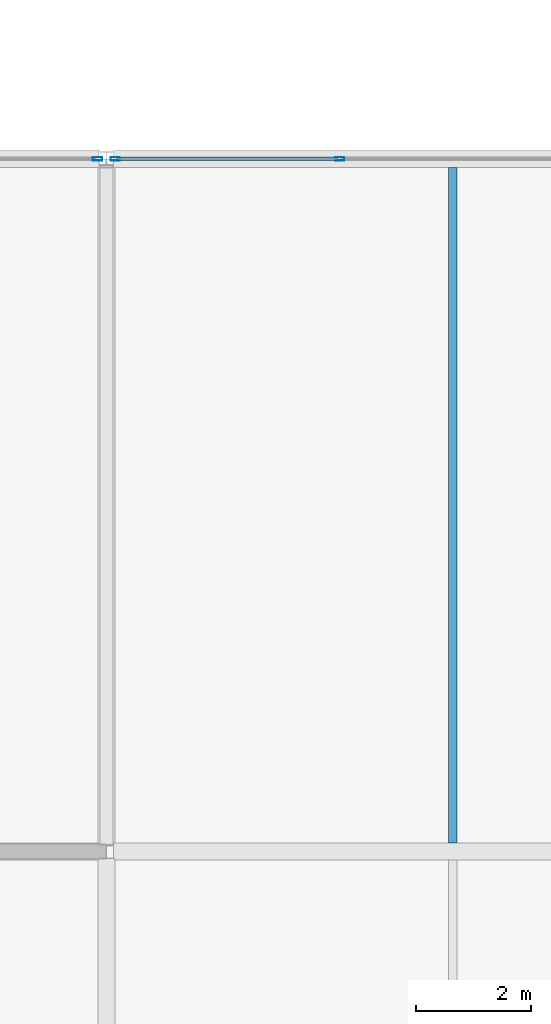
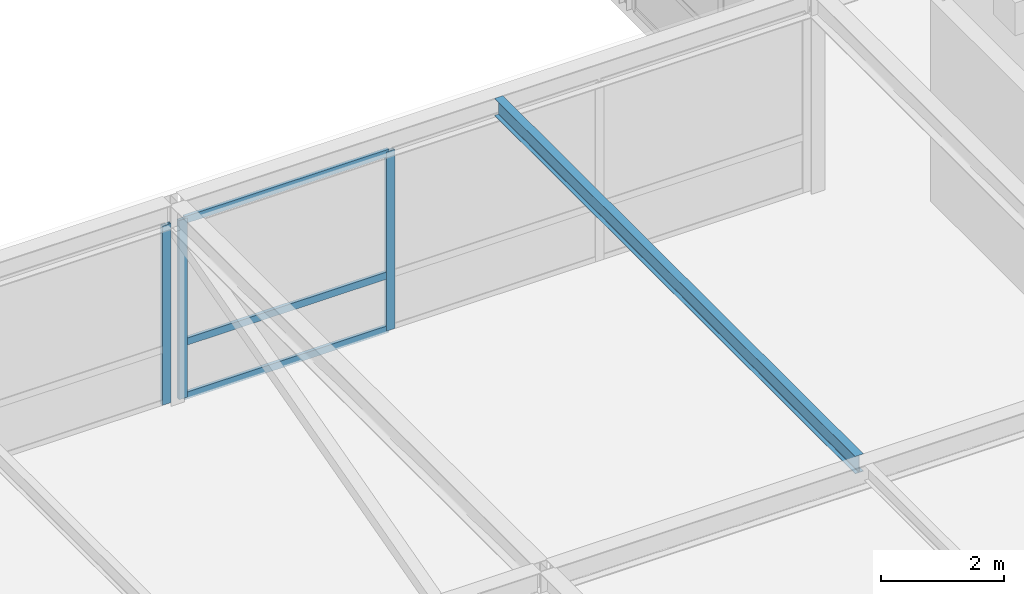
# One storey, part 37 of 111: 6 members, 1 beam, 2 elements without a shape of their own.
"""IFC4 building model written with IfcOpenShell, lengths in metres."""

from ifc_helpers import new_model, si_unit, direction, frame, origin, origin_2d, place, context, subcontext, project, spatial, hollow_rectangle, i_section, extrude, material, layer, layer_set, material_profile, profile_set, type_object, element, aggregate, save


model = new_model("IFC4")

# Units and contexts
model_context = context("Model", 3, precision=1e-05, world=origin(), true_north=direction((0.0, 1.0)))
body_context = subcontext(model_context, "Body", "Model", "MODEL_VIEW")
ifc_project = project(units=[si_unit("LENGTHUNIT", "METRE"), si_unit("AREAUNIT", "SQUARE_METRE"), si_unit("VOLUMEUNIT", "CUBIC_METRE"), si_unit("PLANEANGLEUNIT", "RADIAN"), si_unit("MASSUNIT", "GRAM", prefix="KILO")], contexts=[model_context])

# Site, building, storey
site_placement = place(None, origin())
site = spatial("IfcSite", under=ifc_project, at=site_placement, CompositionType="ELEMENT")
building_placement = place(site_placement, origin())
building = spatial("IfcBuilding", under=site, at=building_placement, Name="Zlatovratsky Civic Hall", CompositionType="ELEMENT")
storey_placement = place(building_placement, frame((0.0, 0.0, 16.5)))
storey = spatial("IfcBuildingStorey", under=building, at=storey_placement, Name="L04", CompositionType="ELEMENT", Elevation=16.5)

# Curtain wall, member
ifc_material_1 = material(Name="Anodised bronze aluminium", Category="aluminium")
ifc_layer = layer(ifc_material_1, 0.159912109375)
ifc_layer_set = layer_set([ifc_layer], Name="Anodised bronze aluminium")
curtain_wall_type = type_object("IfcCurtainWallType", Name="CurtainWall_Bronze_11750x3550_17", PredefinedType="NOTDEFINED", material=ifc_layer_set)
curtain_wall_1_placement = place(storey_placement, origin())
curtain_wall_1 = element("IfcCurtainWall", 1, at=curtain_wall_1_placement, inside=storey, type_object=curtain_wall_type, Name="CW-094", PredefinedType="NOTDEFINED")
ifc_material_profile_1 = material_profile(ifc_material_1, hollow_rectangle(XDim=0.06005859375, YDim=0.159912109375, WallThickness=0.00390625, at=origin_2d()), Name="ALU 60x160x4")
ifc_profile_set_1 = profile_set([ifc_material_profile_1], Name="Anodised bronze aluminium")
member_type_1 = type_object("IfcMemberType", Name="CW_Mullion_60x160", PredefinedType="MULLION", material=ifc_profile_set_1)
member_1_placement = place(storey_placement, frame((35.844970703125, 30.0, 0.0), z_axis=(0.0, 0.0, 1.0), x_axis=(0.0, 1.0, 0.0)))
member_1 = element("IfcMember", 2, at=member_1_placement, type_object=member_type_1, Name="CW-17 mullion 4", PredefinedType="MULLION", context=body_context, shape_type="SweptSolid", body=[
    extrude(hollow_rectangle(XDim=0.06005859375, YDim=0.159912109375, WallThickness=0.00390625, at=origin_2d()), origin(), (0.0, 0.0, 1.0), 3.550048828125),
])
aggregate(curtain_wall_1, [member_1])

# Curtain wall, members
curtain_wall_2_placement = place(storey_placement, origin())
curtain_wall_2 = element("IfcCurtainWall", 3, at=curtain_wall_2_placement, inside=storey, type_object=curtain_wall_type, Name="CW-095", PredefinedType="NOTDEFINED")
member_2_placement = place(storey_placement, frame((36.155029296875, 30.0, 0.0), z_axis=(0.0, 0.0, 1.0), x_axis=(0.0, 1.0, 0.0)))
member_2 = element("IfcMember", 4, at=member_2_placement, type_object=member_type_1, Name="CW-17 mullion 1", PredefinedType="MULLION", context=body_context, shape_type="SweptSolid", body=[
    extrude(hollow_rectangle(XDim=0.06005859375, YDim=0.159912109375, WallThickness=0.00390625, at=origin_2d()), origin(), (0.0, 0.0, 1.0), 3.550048828125),
])
member_3_placement = place(storey_placement, frame((40.041748046875, 30.0, 0.0), z_axis=(0.0, 0.0, 1.0), x_axis=(0.0, 1.0, 0.0)))
member_3 = element("IfcMember", 5, at=member_3_placement, type_object=member_type_1, Name="CW-17 mullion 2", PredefinedType="MULLION", context=body_context, shape_type="SweptSolid", body=[
    extrude(hollow_rectangle(XDim=0.06005859375, YDim=0.159912109375, WallThickness=0.00390625, at=origin_2d()), origin(), (0.0, 0.0, 1.0), 3.550048828125),
])
ifc_material_profile_2 = material_profile(ifc_material_1, hollow_rectangle(XDim=0.06005859375, YDim=0.139892578125, WallThickness=0.00390625, at=origin_2d()), Name="ALU 60x140x4")
ifc_profile_set_2 = profile_set([ifc_material_profile_2], Name="Anodised bronze aluminium")
member_type_2 = type_object("IfcMemberType", Name="CW_Transom_60x140", PredefinedType="USERDEFINED", material=ifc_profile_set_2)
member_4_placement = place(storey_placement, frame((36.18505859375, 30.0, 0.030029296875), z_axis=(1.0, 0.0, 0.0), x_axis=(0.0, 1.0, 0.0)))
member_4 = element("IfcMember", 6, at=member_4_placement, type_object=member_type_2, Name="CW-17 transom 1.1", ObjectType="TRANSOM", PredefinedType="USERDEFINED", context=body_context, shape_type="SweptSolid", body=[
    extrude(hollow_rectangle(XDim=0.06005859375, YDim=0.139892578125, WallThickness=0.00390625, at=origin_2d()), origin(), (0.0, 0.0, 1.0), 3.82666015625),
])
member_5_placement = place(storey_placement, frame((36.18505859375, 30.0, 1.10009765625), z_axis=(1.0, 0.0, 0.0), x_axis=(0.0, 1.0, 0.0)))
member_5 = element("IfcMember", 7, at=member_5_placement, type_object=member_type_2, Name="CW-17 transom 1.2", ObjectType="TRANSOM", PredefinedType="USERDEFINED", context=body_context, shape_type="SweptSolid", body=[
    extrude(hollow_rectangle(XDim=0.06005859375, YDim=0.139892578125, WallThickness=0.00390625, at=origin_2d()), origin(), (0.0, 0.0, 1.0), 3.82666015625),
])
member_6_placement = place(storey_placement, frame((36.18505859375, 30.0, 3.52001953125), z_axis=(1.0, 0.0, 0.0), x_axis=(0.0, 1.0, 0.0)))
member_6 = element("IfcMember", 8, at=member_6_placement, type_object=member_type_2, Name="CW-17 transom 1.3", ObjectType="TRANSOM", PredefinedType="USERDEFINED", context=body_context, shape_type="SweptSolid", body=[
    extrude(hollow_rectangle(XDim=0.06005859375, YDim=0.139892578125, WallThickness=0.00390625, at=origin_2d()), origin(), (0.0, 0.0, 1.0), 3.82666015625),
])
aggregate(curtain_wall_2, [member_2, member_3, member_4, member_5, member_6])

# Beam
ifc_material_2 = material(Name="Steel S355", Category="steel")
ifc_material_profile_3 = material_profile(ifc_material_2, i_section(OverallWidth=0.155029296875, OverallDepth=0.345947265625, WebThickness=0.006103515625, FlangeThickness=0.008544921875, FilletRadius=0.013916015625, at=origin_2d()), Name="35B1")
ifc_profile_set_3 = profile_set([ifc_material_profile_3], Name="Steel S355")
beam_type = type_object("IfcBeamType", Name="Joist_Podium_35B1", PredefinedType="JOIST", material=ifc_profile_set_3)
beam_placement = place(storey_placement, frame((42.0, 18.14990234375, 3.826904296875), z_axis=(0.0, 1.0, 0.0), x_axis=(-1.0, 0.0, 0.0)))
element("IfcBeam", 9, at=beam_placement, inside=storey, type_object=beam_type, Name="BM-3843", PredefinedType="JOIST", context=body_context, shape_type="SweptSolid", body=[
    extrude(i_section(OverallWidth=0.155029296875, OverallDepth=0.345947265625, WebThickness=0.006103515625, FlangeThickness=0.008544921875, FilletRadius=0.013916015625, at=origin_2d()), origin(), (0.0, 0.0, 1.0), 11.7001953125),
])

save(model, "model.ifc")
